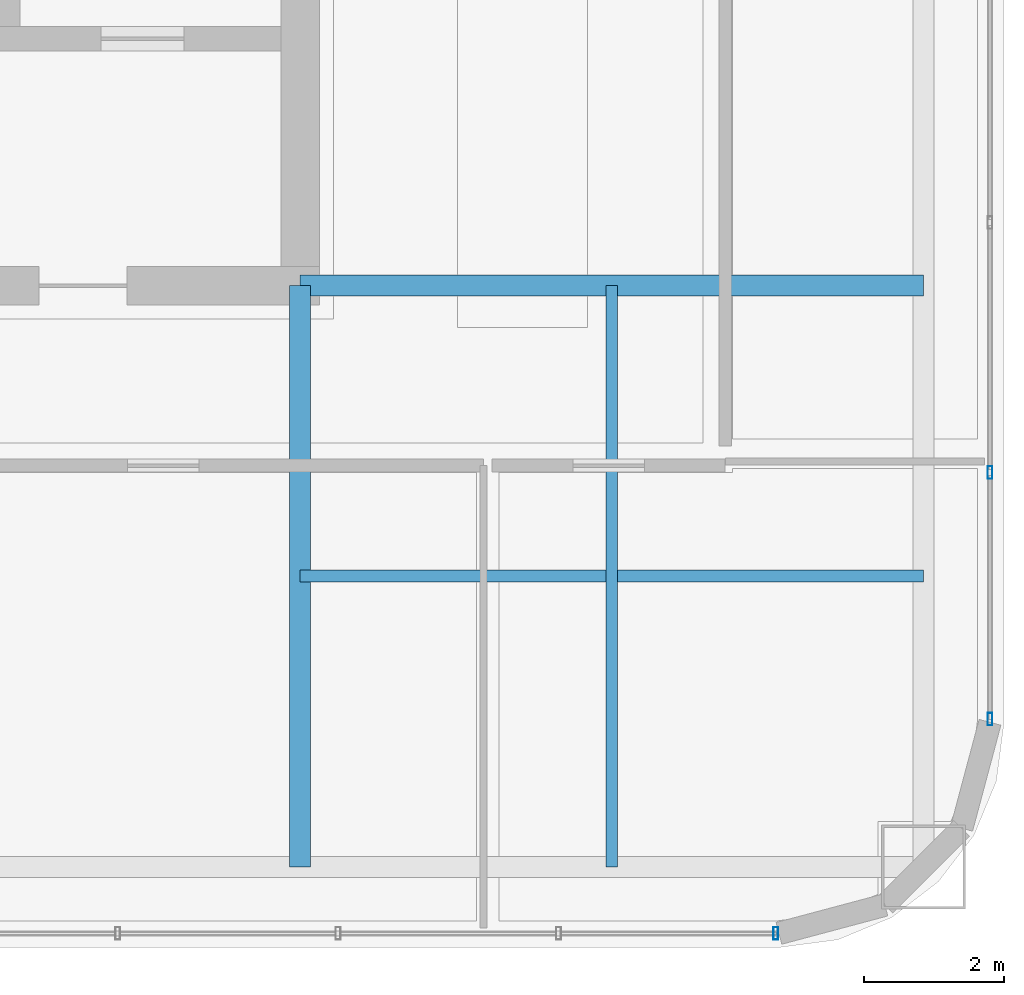
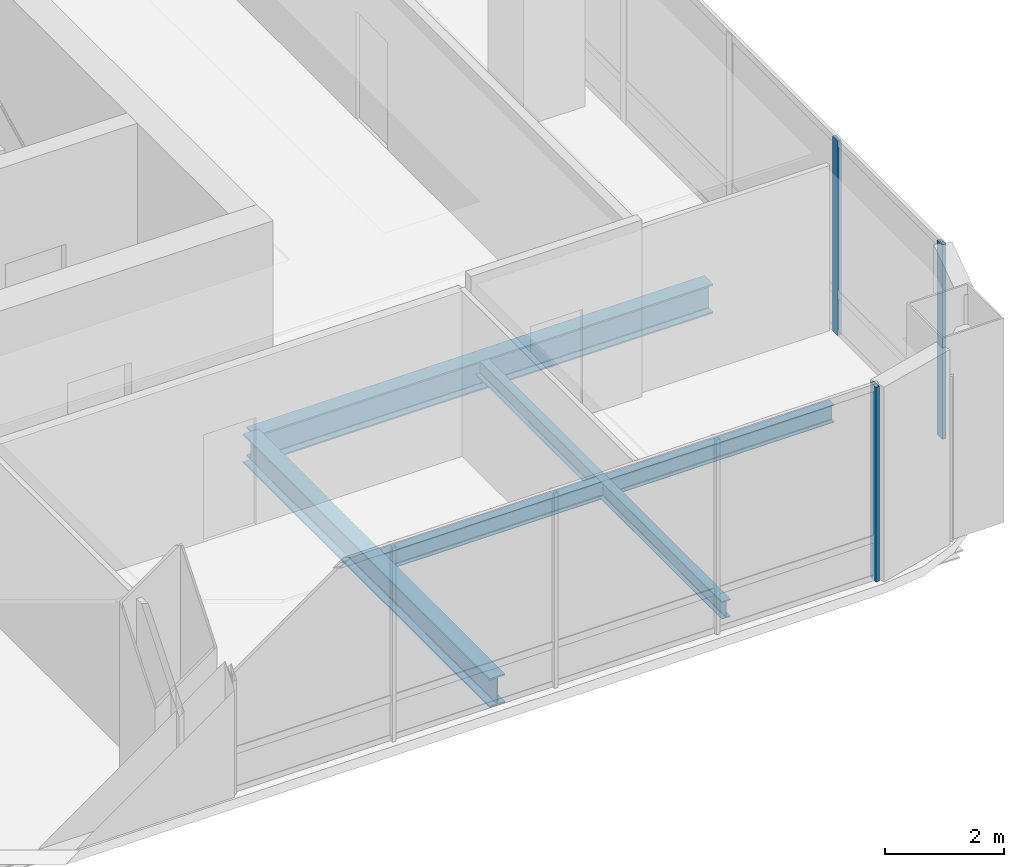
# One storey, part 15 of 43: 4 beams, 3 members, 2 elements without a shape of their own.
"""IFC4 building model written with IfcOpenShell, lengths in metres."""

import ifcopenshell
import ifcopenshell.guid

model = None  # the IFC model being written
_history = None  # IfcOwnerHistory: only IFC2X3 demands one
_inside = {}  # id of a spatial element -> (the spatial element, [elements in it])
_under = {}  # id of a project, library or spatial element -> (it, [spatial elements below it])
_declared = {}  # id of a project -> (the project, [libraries it declares])
_typed = {}  # id of a type object -> (the type object, [elements of that type])
_made_of = {}  # id of a material, layer set ... -> (it, [elements and type objects made of it])


def new_model(schema):
    """Start an empty IFC model of exactly this schema.

    Asked for "IFC4X3", IfcOpenShell would pick the latest addendum, in which some entities
    have other attributes; the version numbers below select the first issue.
    IFC2X3 requires an IfcOwnerHistory on every rooted entity: one is made here for all.
    """
    global model, _history
    if schema == "IFC4X3":
        model = ifcopenshell.file(schema_version=(4, 3, 0, 0))
    else:
        model = ifcopenshell.file(schema=schema)
    _inside.clear()
    _under.clear()
    _declared.clear()
    _typed.clear()
    _made_of.clear()
    _history = None
    if model.schema == "IFC2X3":
        org = make("IfcOrganization", Name="unknown")
        user = make(
            "IfcPersonAndOrganization",
            ThePerson=make("IfcPerson", FamilyName="unknown"),
            TheOrganization=org,
        )
        app = make(
            "IfcApplication",
            ApplicationDeveloper=org,
            Version="unknown",
            ApplicationFullName="unknown",
            ApplicationIdentifier="unknown",
        )
        _history = make(
            "IfcOwnerHistory",
            OwningUser=user,
            OwningApplication=app,
            ChangeAction="ADDED",
            CreationDate=0,
        )
    return model


def make(cls, **values):
    """One entity of the class cls with the attributes given. An attribute that is None is left unset."""
    return model.create_entity(
        cls, **{name: value for name, value in values.items() if value is not None}
    )


def rooted(cls, **values):
    """An entity with a GlobalId (a new one), such as an element, a storey or a relation."""
    return make(cls, GlobalId=ifcopenshell.guid.new(), OwnerHistory=_history, **values)


def si_unit(unit_type, name, prefix=None):
    """IfcSIUnit, for example si_unit("LENGTHUNIT", "METRE", prefix="MILLI")."""
    return make("IfcSIUnit", UnitType=unit_type, Prefix=prefix, Name=name)


def assignment(units):
    """IfcUnitAssignment: the units of a project."""
    return None if units is None else make("IfcUnitAssignment", Units=units)


def point(xyz):
    """IfcCartesianPoint."""
    return None if xyz is None else make("IfcCartesianPoint", Coordinates=xyz)


def direction(xyz):
    """IfcDirection."""
    return None if xyz is None else make("IfcDirection", DirectionRatios=xyz)


def frame(location, z_axis=None, x_axis=None):
    """IfcAxis2Placement3D, a coordinate frame: its origin and axes. An axis left out is left unset."""
    return make(
        "IfcAxis2Placement3D",
        Location=point(location),
        Axis=direction(z_axis),
        RefDirection=direction(x_axis),
    )


def frame_2d(location, x_axis=None):
    """IfcAxis2Placement2D, a coordinate frame in the plane: its origin and x axis."""
    return make(
        "IfcAxis2Placement2D", Location=point(location), RefDirection=direction(x_axis)
    )


def origin():
    """The frame at (0, 0, 0) with its axes left unset."""
    return frame((0.0, 0.0, 0.0))


def origin_2d():
    """The frame at (0, 0) in the plane with its x axis left unset."""
    return frame_2d((0.0, 0.0))


def place(relative_to, where):
    """IfcLocalPlacement: puts the frame where relative to a parent placement (None: the world)."""
    return make(
        "IfcLocalPlacement", PlacementRelTo=relative_to, RelativePlacement=where
    )


def context(
    kind, dimensions, precision=None, world=None, true_north=None, identifier=None
):
    """IfcGeometricRepresentationContext, for example the 3D "Model" context."""
    return make(
        "IfcGeometricRepresentationContext",
        ContextIdentifier=identifier,
        ContextType=kind,
        CoordinateSpaceDimension=dimensions,
        Precision=precision,
        WorldCoordinateSystem=world,
        TrueNorth=true_north,
    )


def subcontext(parent, identifier, kind, view, scale=None):
    """IfcGeometricRepresentationSubContext, for example "Body" below "Model"."""
    return make(
        "IfcGeometricRepresentationSubContext",
        ContextIdentifier=identifier,
        ContextType=kind,
        ParentContext=parent,
        TargetScale=scale,
        TargetView=view,
    )


def project(units=None, contexts=None):
    """IfcProject with its units and contexts."""
    return rooted(
        "IfcProject",
        Name="project",
        RepresentationContexts=contexts,
        UnitsInContext=assignment(units),
    )


def spatial(cls, under=None, at=None, **own):
    """A site, building, storey or space (cls), placed at a placement, below another one or the project."""
    s = rooted(cls, ObjectPlacement=at, **own)
    if under is not None:
        _under.setdefault(under.id(), (under, []))[1].append(s)
    return s


def profile(cls, at=None, kind="AREA", **sizes):
    """A parametric profile (cls). Its sizes go by their IFC names, for example OverallWidth=200.0."""
    return make(cls, ProfileType=kind, Position=at, **sizes)


def hollow_rectangle(**sizes):
    """IfcRectangleHollowProfileDef."""
    return profile("IfcRectangleHollowProfileDef", **sizes)


def i_section(**sizes):
    """IfcIShapeProfileDef."""
    return profile("IfcIShapeProfileDef", **sizes)


def extrude(swept, where, along, depth):
    """IfcExtrudedAreaSolid: the profile swept, set in the frame where, extruded along a direction by depth."""
    return make(
        "IfcExtrudedAreaSolid",
        SweptArea=swept,
        Position=where,
        ExtrudedDirection=direction(along),
        Depth=depth,
    )


def shape(context_of_items, identifier, shape_type, items):
    """IfcShapeRepresentation: the items that make up one representation, for example the "Body"."""
    return make(
        "IfcShapeRepresentation",
        ContextOfItems=context_of_items,
        RepresentationIdentifier=identifier,
        RepresentationType=shape_type,
        Items=items,
    )


def material(Name=None, Category=None):
    """IfcMaterial."""
    return make("IfcMaterial", Name=Name, Category=Category)


def material_profile(
    of_material, cross_section, Name=None, Category=None, Priority=None
):
    """IfcMaterialProfile: a cross section and its material."""
    return make(
        "IfcMaterialProfile",
        Name=Name,
        Material=of_material,
        Profile=cross_section,
        Priority=Priority,
        Category=Category,
    )


def profile_set(profiles, Name=None, composite=None):
    """IfcMaterialProfileSet."""
    return make(
        "IfcMaterialProfileSet",
        Name=Name,
        MaterialProfiles=profiles,
        CompositeProfile=composite,
    )


def made_of(thing, what):
    """Note that an element or type object is made of a material, layer set ...; save() writes the relation."""
    if what is not None:
        _made_of.setdefault(what.id(), (what, []))[1].append(thing)
    return thing


def type_object(cls, material=None, **own):
    """A type object (cls), such as IfcWallType, which elements share."""
    return made_of(rooted(cls, **own), material)


def element(
    cls,
    number,
    at=None,
    inside=None,
    cuts=None,
    type_object=None,
    material=None,
    context=None,
    identifier="Body",
    shape_type=None,
    held_by="IfcProductDefinitionShape",
    body=None,
    shapes=None,
    **own,
):
    """One element of the class cls, such as IfcWall. Its Tag is "e" and its number.

    at: its placement. inside: the storey or other place that contains it. cuts: it is an
    opening in that element (IfcRelVoidsElement). A single representation is given by context,
    identifier, shape_type and body (its items); several are given by shapes. held_by: the class
    of the entity that holds the representations. save() writes the other relations.
    """
    e = rooted(cls, Tag="e%d" % number, ObjectPlacement=at, **own)
    if body is not None:
        shapes = [shape(context, identifier, shape_type, body)]
    if shapes is not None:
        e.Representation = make(held_by, Representations=shapes)
    if inside is not None:
        _inside.setdefault(inside.id(), (inside, []))[1].append(e)
    if cuts is not None:
        rooted(
            "IfcRelVoidsElement", RelatingBuildingElement=cuts, RelatedOpeningElement=e
        )
    if type_object is not None:
        _typed.setdefault(type_object.id(), (type_object, []))[1].append(e)
    return made_of(e, material)


def aggregate(whole, parts):
    """IfcRelAggregates: a whole, such as a stair, and the parts it consists of."""
    return rooted("IfcRelAggregates", RelatingObject=whole, RelatedObjects=parts)


def save(model, path):
    """Write the relations noted so far, then the file.

    IfcRelAggregates (storeys below a building ...), IfcRelContainedInSpatialStructure (elements
    in a storey), IfcRelDefinesByType, IfcRelAssociatesMaterial and IfcRelDeclares: one each for
    every whole, place, type object, material and project.
    """
    for whole, parts in _under.values():
        aggregate(whole, parts)
    for where, things in _inside.values():
        rooted(
            "IfcRelContainedInSpatialStructure",
            RelatedElements=things,
            RelatingStructure=where,
        )
    for kind, things in _typed.values():
        rooted("IfcRelDefinesByType", RelatedObjects=things, RelatingType=kind)
    for what, things in _made_of.values():
        rooted("IfcRelAssociatesMaterial", RelatedObjects=things, RelatingMaterial=what)
    for by, libraries in _declared.values():
        rooted("IfcRelDeclares", RelatingContext=by, RelatedDefinitions=libraries)
    model.write(path)


model = new_model("IFC4")

# Units and contexts
model_context = context("Model", 3, precision=1e-05, world=origin(), true_north=direction((0.0, 1.0)))
body_context = subcontext(model_context, "Body", "Model", "MODEL_VIEW")
ifc_project = project(units=[si_unit("LENGTHUNIT", "METRE"), si_unit("AREAUNIT", "SQUARE_METRE"), si_unit("VOLUMEUNIT", "CUBIC_METRE"), si_unit("PLANEANGLEUNIT", "RADIAN"), si_unit("MASSUNIT", "GRAM", prefix="KILO")], contexts=[model_context])

# Site, building, storey
site_placement = place(None, origin())
site = spatial("IfcSite", under=ifc_project, at=site_placement, CompositionType="ELEMENT")
building_placement = place(site_placement, origin())
building = spatial("IfcBuilding", under=site, at=building_placement, Name="Punatoya Terracotta Tower", CompositionType="ELEMENT")
storey_placement = place(building_placement, frame((0.0, 0.0, 300.60009765625)))
storey = spatial("IfcBuildingStorey", under=building, at=storey_placement, Name="L71", CompositionType="ELEMENT", Elevation=300.60009765625)

# Beams
ifc_material_1 = material(Name="Steel S355", Category="steel")
ifc_material_profile_1 = material_profile(ifc_material_1, i_section(OverallWidth=0.300048828125, OverallDepth=0.60009765625, WebThickness=0.015380859375, FlangeThickness=0.030029296875, FilletRadius=0.01806640625, at=origin_2d()))
ifc_profile_set_1 = profile_set([ifc_material_profile_1], Name="Steel S355")
beam_type_1 = type_object("IfcBeamType", Name="BM-PRI-600", PredefinedType="BEAM", material=ifc_profile_set_1)
beam_1_placement = place(storey_placement, frame((10.199951171875, -9.199951171875, -0.5), z_axis=(1.0, 0.0, 0.0), x_axis=(0.0, 1.0, 0.0)))
element("IfcBeam", 1, at=beam_1_placement, inside=storey, type_object=beam_type_1, Name="BM-L71-PR-ES", PredefinedType="BEAM", context=body_context, shape_type="SweptSolid", body=[
    extrude(i_section(OverallWidth=0.300048828125, OverallDepth=0.60009765625, WebThickness=0.015380859375, FlangeThickness=0.030029296875, FilletRadius=0.01806640625, at=origin_2d()), origin(), (0.0, 0.0, 1.0), 8.900146484375),
])
beam_2_placement = place(storey_placement, frame((10.199951171875, -17.5, -0.5), z_axis=(0.0, 1.0, 0.0), x_axis=(-1.0, 0.0, 0.0)))
element("IfcBeam", 2, at=beam_2_placement, inside=storey, type_object=beam_type_1, Name="BM-L71-PR-S4", PredefinedType="BEAM", context=body_context, shape_type="SweptSolid", body=[
    extrude(i_section(OverallWidth=0.300048828125, OverallDepth=0.60009765625, WebThickness=0.015380859375, FlangeThickness=0.030029296875, FilletRadius=0.01806640625, at=origin_2d()), origin(), (0.0, 0.0, 1.0), 8.300048828125),
])
ifc_material_profile_2 = material_profile(ifc_material_1, i_section(OverallWidth=0.169921875, OverallDepth=0.360107421875, WebThickness=0.008056640625, FlangeThickness=0.0126953125, FilletRadius=0.01806640625, at=origin_2d()))
ifc_profile_set_2 = profile_set([ifc_material_profile_2], Name="Steel S355")
beam_type_2 = type_object("IfcBeamType", Name="BM-SEC-360", PredefinedType="JOIST", material=ifc_profile_set_2)
beam_3_placement = place(storey_placement, frame((10.199951171875, -13.35009765625, -0.380126953125), z_axis=(1.0, 0.0, 0.0), x_axis=(0.0, 1.0, 0.0)))
element("IfcBeam", 3, at=beam_3_placement, inside=storey, type_object=beam_type_2, Name="BM-L71-SJS-2", PredefinedType="JOIST", context=body_context, shape_type="SweptSolid", body=[
    extrude(i_section(OverallWidth=0.169921875, OverallDepth=0.360107421875, WebThickness=0.008056640625, FlangeThickness=0.0126953125, FilletRadius=0.01806640625, at=origin_2d()), origin(), (0.0, 0.0, 1.0), 8.900146484375),
])
beam_4_placement = place(storey_placement, frame((14.64990234375, -17.5, -0.380126953125), z_axis=(0.0, 1.0, 0.0), x_axis=(-1.0, 0.0, 0.0)))
element("IfcBeam", 4, at=beam_4_placement, inside=storey, type_object=beam_type_2, Name="BM-L71-SJE-1", PredefinedType="JOIST", context=body_context, shape_type="SweptSolid", body=[
    extrude(i_section(OverallWidth=0.169921875, OverallDepth=0.360107421875, WebThickness=0.008056640625, FlangeThickness=0.0126953125, FilletRadius=0.01806640625, at=origin_2d()), origin(), (0.0, 0.0, 1.0), 8.300048828125),
])

# Curtain wall, member
ifc_material_2 = material(Name="Aluminium 6063-T6 + Double Low-E Glass", Category="aluminium")
curtain_wall_type = type_object("IfcCurtainWallType", Name="CW-M3", PredefinedType="NOTDEFINED", material=ifc_material_2)
curtain_wall_1_placement = place(storey_placement, origin())
curtain_wall_1 = element("IfcCurtainWall", 5, at=curtain_wall_1_placement, inside=storey, type_object=curtain_wall_type, Name="L71 Curtain Wall CW-L71-S01-2", PredefinedType="NOTDEFINED")
ifc_material_3 = material(Name="Aluminium 6063-T6", Category="aluminium")
ifc_material_profile_3 = material_profile(ifc_material_3, hollow_rectangle(XDim=0.070068359375, YDim=0.179931640625, WallThickness=0.00390625, at=origin_2d()))
ifc_profile_set_3 = profile_set([ifc_material_profile_3], Name="Aluminium 6063-T6")
member_type = type_object("IfcMemberType", Name="CW-MUL-M3", PredefinedType="MULLION", material=ifc_profile_set_3)
member_1_placement = place(storey_placement, frame((16.991943359375, -18.449951171875, 0.0), z_axis=(0.0, 0.0, 1.0), x_axis=(1.0, 0.0, 0.0)))
member_1 = element("IfcMember", 6, at=member_1_placement, type_object=member_type, Name="CW-L71-S01-2 Mullion 04", PredefinedType="MULLION", context=body_context, shape_type="SweptSolid", body=[
    extrude(hollow_rectangle(XDim=0.070068359375, YDim=0.179931640625, WallThickness=0.00390625, at=origin_2d()), origin(), (0.0, 0.0, 1.0), 4.0),
])
aggregate(curtain_wall_1, [member_1])

# Curtain wall, members
curtain_wall_2_placement = place(storey_placement, origin())
curtain_wall_2 = element("IfcCurtainWall", 7, at=curtain_wall_2_placement, inside=storey, type_object=curtain_wall_type, Name="L71 Curtain Wall CW-L71-E05-1", PredefinedType="NOTDEFINED")
member_2_placement = place(storey_placement, frame((20.050048828125, -15.391845703125, 0.0), z_axis=(0.0, 0.0, 1.0), x_axis=(1.0, 0.0, 0.0)))
member_2 = element("IfcMember", 8, at=member_2_placement, type_object=member_type, Name="CW-L71-E05-1 Mullion 00", PredefinedType="MULLION", context=body_context, shape_type="SweptSolid", body=[
    extrude(hollow_rectangle(XDim=0.070068359375, YDim=0.179931640625, WallThickness=0.00390625, at=origin_2d()), origin(), (0.0, 0.0, 1.0), 4.0),
])
member_3_placement = place(storey_placement, frame((20.050048828125, -11.869384765625, 0.0), z_axis=(0.0, 0.0, 1.0), x_axis=(1.0, 0.0, 0.0)))
member_3 = element("IfcMember", 9, at=member_3_placement, type_object=member_type, Name="CW-L71-E05-1 Mullion 01", PredefinedType="MULLION", context=body_context, shape_type="SweptSolid", body=[
    extrude(hollow_rectangle(XDim=0.070068359375, YDim=0.179931640625, WallThickness=0.00390625, at=origin_2d()), origin(), (0.0, 0.0, 1.0), 4.0),
])
aggregate(curtain_wall_2, [member_2, member_3])

save(model, "model.ifc")
